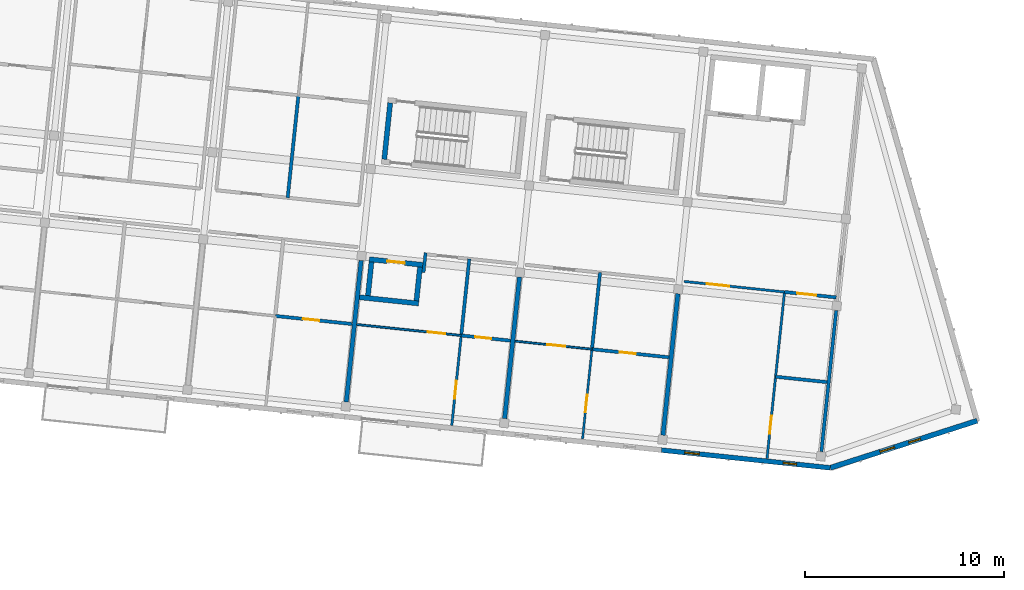
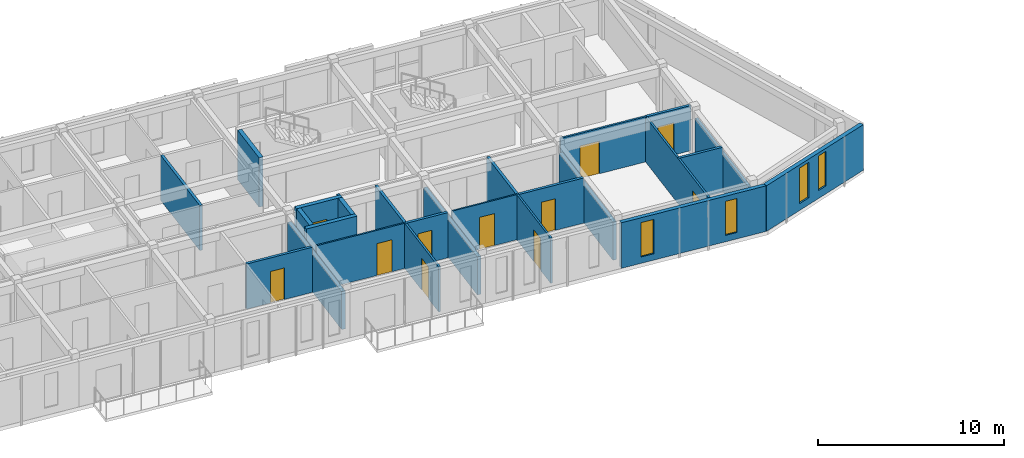
# One storey, part 35 of 64: 26 walls, 11 doors, 4 windows, 15 openings.
"""IFC4 building model written with IfcOpenShell, lengths in metres."""

from ifc_helpers import new_model, si_unit, direction, frame, frame_2d, origin, place, context, subcontext, project, spatial, rectangle, extrude, material, layer, layer_set, type_object, element, fill, save


model = new_model("IFC4")

# Units and contexts
model_context = context("Model", 3, precision=1e-05, world=origin(), true_north=direction((0.0, 1.0)))
body_context = subcontext(model_context, "Body", "Model", "MODEL_VIEW")
ifc_project = project(units=[si_unit("LENGTHUNIT", "METRE"), si_unit("AREAUNIT", "SQUARE_METRE"), si_unit("VOLUMEUNIT", "CUBIC_METRE"), si_unit("PLANEANGLEUNIT", "RADIAN"), si_unit("MASSUNIT", "GRAM", prefix="KILO")], contexts=[model_context])

# Site, building, storey
site_placement = place(None, origin())
site = spatial("IfcSite", under=ifc_project, at=site_placement, CompositionType="ELEMENT")
building_placement = place(site_placement, origin())
building = spatial("IfcBuilding", under=site, at=building_placement, Name="Kestramere Prow Commons", CompositionType="ELEMENT")
storey_placement = place(building_placement, frame((0.0, 0.0, 24.64990234375)))
storey = spatial("IfcBuildingStorey", under=building, at=storey_placement, Name="L07", CompositionType="ELEMENT", Elevation=24.64990234375)

# Wall, openings, windows
ifc_material_1 = material(Name="Weathered Zinc-Titanium Standing-Seam Cladding")
ifc_layer_1 = layer(ifc_material_1, 0.260009765625)
ifc_layer_set_1 = layer_set([ifc_layer_1], Name="Weathered Zinc-Titanium Standing-Seam Cladding")
wall_type_1 = type_object("IfcWallType", Name="EW-PROW-260", PredefinedType="SOLIDWALL", material=ifc_layer_set_1)
wall_1_placement = place(storey_placement, frame((165.587158203125, 91.57177734375, 0.0), z_axis=(0.0, 0.0, 1.0), x_axis=(-0.9522851043, -0.305209895201, 0.0)))
wall_1 = element("IfcWall", 1, at=wall_1_placement, inside=storey, type_object=wall_type_1, Name="Block B L07 PRW-S Facet Wall", PredefinedType="SOLIDWALL", context=body_context, shape_type="SweptSolid", body=[
    extrude(rectangle(XDim=7.752685546875, YDim=0.260009765625, at=frame_2d((3.87646484375, 0.0))), origin(), (0.0, 0.0, 1.0), 3.0),
])
opening_1_placement = place(wall_1_placement, frame((2.989990234375, 0.0, 0.52001953125)))
opening_1 = element("IfcOpeningElement", 2, at=opening_1_placement, cuts=wall_1, Name="Opening WN-03", PredefinedType="OPENING", context=body_context, shape_type="SweptSolid", body=[
    extrude(rectangle(XDim=0.6201171875, YDim=2.280029296875, at=frame_2d((0.31005859375, 1.14013671875))), frame((0.0, 0.14501953125, 0.0), z_axis=(0.0, -1.0, 0.0), x_axis=(1.0, 0.0, 0.0)), (0.0, 0.0, 1.0), 0.2900390625),
])
opening_2_placement = place(wall_1_placement, frame((4.36279296875, 0.0, 0.449951171875)))
opening_2 = element("IfcOpeningElement", 3, at=opening_2_placement, cuts=wall_1, Name="Opening WN-10", PredefinedType="OPENING", context=body_context, shape_type="SweptSolid", body=[
    extrude(rectangle(XDim=0.760009765625, YDim=2.340087890625, at=frame_2d((0.3798828125, 1.169921875))), frame((0.0, 0.14501953125, 0.0), z_axis=(0.0, -1.0, 0.0), x_axis=(1.0, 0.0, 0.0)), (0.0, 0.0, 1.0), 0.2900390625),
])
ifc_material_2 = material(Name="Low-E Laminated Double Glazing", Category="glass")
window_type_1 = type_object("IfcWindowType", Name="WN-NAR-620A", PartitioningType="SINGLE_PANEL", PredefinedType="WINDOW", material=ifc_material_2)
window_1_placement = place(opening_1_placement, origin())
window_1 = element("IfcWindow", 4, at=window_1_placement, inside=storey, type_object=window_type_1, Name="WN-B-L07-PRW-S-0", OverallHeight=2.280029296875, OverallWidth=0.6201171875, PartitioningType="SINGLE_PANEL", PredefinedType="WINDOW", context=body_context, shape_type="SweptSolid", body=[
    extrude(rectangle(XDim=0.6201171875, YDim=2.280029296875, at=frame_2d((0.31005859375, 1.14013671875))), frame((0.0, 0.030029296875, 0.0), z_axis=(0.0, -1.0, 0.0), x_axis=(1.0, 0.0, 0.0)), (0.0, 0.0, 1.0), 0.06005859375),
])
fill(opening_1, window_1)
window_type_2 = type_object("IfcWindowType", Name="WN-NAR-760A", PartitioningType="SINGLE_PANEL", PredefinedType="WINDOW", material=ifc_material_2)
window_2_placement = place(opening_2_placement, origin())
window_2 = element("IfcWindow", 5, at=window_2_placement, inside=storey, type_object=window_type_2, Name="WN-B-L07-PRW-S-1", OverallHeight=2.340087890625, OverallWidth=0.760009765625, PartitioningType="SINGLE_PANEL", PredefinedType="WINDOW", context=body_context, shape_type="SweptSolid", body=[
    extrude(rectangle(XDim=0.760009765625, YDim=2.340087890625, at=frame_2d((0.3798828125, 1.169921875))), frame((0.0, 0.030029296875, 0.0), z_axis=(0.0, -1.0, 0.0), x_axis=(1.0, 0.0, 0.0)), (0.0, 0.0, 1.0), 0.06005859375),
])
fill(opening_2, window_2)

ifc_material_3 = material(Name="Fluoropolymer Standing-Seam Zinc-Aluminium Cladding", Category="aluminium")
ifc_layer_2 = layer(ifc_material_3, 0.239990234375)
ifc_layer_set_2 = layer_set([ifc_layer_2], Name="Fluoropolymer Standing-Seam Zinc-Aluminium Cladding")
wall_type_2 = type_object("IfcWallType", Name="EW-SEAM-240", PredefinedType="SOLIDWALL", material=ifc_layer_set_2)
wall_2_placement = place(storey_placement, frame((158.204345703125, 89.20556640625, 0.0), z_axis=(0.0, 0.0, 1.0), x_axis=(-0.994521760736, 0.104529744196, 0.0)))
wall_2 = element("IfcWall", 6, at=wall_2_placement, inside=storey, type_object=wall_type_2, Name="Block B L07 South Standing-Seam Wall 6", PredefinedType="SOLIDWALL", context=body_context, shape_type="SweptSolid", body=[
    extrude(rectangle(XDim=8.52490234375, YDim=0.239990234375, at=frame_2d((4.262451171875, 0.0))), origin(), (0.0, 0.0, 1.0), 3.0),
])
opening_3_placement = place(wall_2_placement, frame((1.70068359375, 0.0, 0.419921875)))
opening_3 = element("IfcOpeningElement", 7, at=opening_3_placement, cuts=wall_2, Name="Opening WN-06", PredefinedType="OPENING", context=body_context, shape_type="SweptSolid", body=[
    extrude(rectangle(XDim=0.679931640625, YDim=2.239990234375, at=frame_2d((0.33984375, 1.1201171875))), frame((0.0, 0.135009765625, 0.0), z_axis=(0.0, -1.0, 0.0), x_axis=(1.0, 0.0, 0.0)), (0.0, 0.0, 1.0), 0.27001953125),
])
opening_4_placement = place(wall_2_placement, frame((6.6123046875, 0.0, 0.419921875)))
opening_4 = element("IfcOpeningElement", 8, at=opening_4_placement, cuts=wall_2, Name="Opening WN-09", PredefinedType="OPENING", context=body_context, shape_type="SweptSolid", body=[
    extrude(rectangle(XDim=0.739990234375, YDim=2.260009765625, at=frame_2d((0.3701171875, 1.1298828125))), frame((0.0, 0.135009765625, 0.0), z_axis=(0.0, -1.0, 0.0), x_axis=(1.0, 0.0, 0.0)), (0.0, 0.0, 1.0), 0.27001953125),
])
window_type_3 = type_object("IfcWindowType", Name="WN-NAR-680A", PartitioningType="SINGLE_PANEL", PredefinedType="WINDOW", material=ifc_material_2)
window_3_placement = place(opening_3_placement, origin())
window_3 = element("IfcWindow", 9, at=window_3_placement, inside=storey, type_object=window_type_3, Name="WN-B-L07-S-5-00", OverallHeight=2.239990234375, OverallWidth=0.679931640625, PartitioningType="SINGLE_PANEL", PredefinedType="WINDOW", context=body_context, shape_type="SweptSolid", body=[
    extrude(rectangle(XDim=0.679931640625, YDim=2.239990234375, at=frame_2d((0.33984375, 1.1201171875))), frame((0.0, 0.030029296875, 0.0), z_axis=(0.0, -1.0, 0.0), x_axis=(1.0, 0.0, 0.0)), (0.0, 0.0, 1.0), 0.06005859375),
])
fill(opening_3, window_3)
window_type_4 = type_object("IfcWindowType", Name="WN-NAR-740A", PartitioningType="SINGLE_PANEL", PredefinedType="WINDOW", material=ifc_material_2)
window_4_placement = place(opening_4_placement, origin())
window_4 = element("IfcWindow", 10, at=window_4_placement, inside=storey, type_object=window_type_4, Name="WN-B-L07-S-5-10", OverallHeight=2.260009765625, OverallWidth=0.739990234375, PartitioningType="SINGLE_PANEL", PredefinedType="WINDOW", context=body_context, shape_type="SweptSolid", body=[
    extrude(rectangle(XDim=0.739990234375, YDim=2.260009765625, at=frame_2d((0.3701171875, 1.1298828125))), frame((0.0, 0.030029296875, 0.0), z_axis=(0.0, -1.0, 0.0), x_axis=(1.0, 0.0, 0.0)), (0.0, 0.0, 1.0), 0.06005859375),
])
fill(opening_4, window_4)

# Walls
ifc_material_4 = material(Name="Concrete C40/50", Category="concrete")
ifc_layer_3 = layer(ifc_material_4, 0.25)
ifc_layer_set_3 = layer_set([ifc_layer_3], Name="Concrete C40/50")
wall_type_3 = type_object("IfcWallType", Name="W-CORE-250", PredefinedType="SHEAR", material=ifc_layer_set_3)
wall_3_placement = place(storey_placement, frame((135.802001953125, 104.707275390625, 0.0), z_axis=(0.0, 0.0, 1.0), x_axis=(0.104515324063, 0.994523276267, 0.0)))
element("IfcWall", 11, at=wall_3_placement, inside=storey, type_object=wall_type_3, Name="ST-B1 L07 Near Shaft Wall", PredefinedType="SHEAR", context=body_context, shape_type="SweptSolid", body=[
    extrude(rectangle(XDim=2.849853515625, YDim=0.25, at=frame_2d((1.4248046875, 0.0))), origin(), (0.0, 0.0, 1.0), 3.25),
])
ifc_material_5 = material(Name="Fire-Rated Calcium Silicate Wall")
ifc_layer_4 = layer(ifc_material_5, 0.155029296875)
ifc_layer_set_4 = layer_set([ifc_layer_4], Name="Fire-Rated Calcium Silicate Wall")
wall_type_4 = type_object("IfcWallType", Name="W-FIRE-150", PredefinedType="PARTITIONING", material=ifc_layer_set_4)
wall_4_placement = place(storey_placement, frame((137.773193359375, 99.02001953125, 0.0), z_axis=(0.0, 0.0, 1.0), x_axis=(0.104531505358, 0.994521575627, 0.0)))
element("IfcWall", 12, at=wall_4_placement, inside=storey, type_object=wall_type_4, Name="Interior Partition PW-B-L07-HS-CLOSER", PredefinedType="PARTITIONING", context=body_context, shape_type="SweptSolid", body=[
    extrude(rectangle(XDim=0.994873046875, YDim=0.155029296875, at=frame_2d((0.49755859375, 0.0))), origin(), (0.0, 0.0, 1.0), 2.97021484375),
])
ifc_layer_5 = layer(ifc_material_4, 0.25)
ifc_layer_set_5 = layer_set([ifc_layer_5], Name="Concrete C40/50")
wall_type_5 = type_object("IfcWallType", Name="W-HS-250", PredefinedType="SHEAR", material=ifc_layer_set_5)
wall_5_placement = place(storey_placement, frame((134.555419921875, 97.774658203125, 0.0), z_axis=(0.0, 0.0, 1.0), x_axis=(0.994514844427, -0.104595526741, 0.0)))
element("IfcWall", 13, at=wall_5_placement, inside=storey, type_object=wall_type_5, Name="Block B L07 Household Shelter South Wall", PredefinedType="SHEAR", context=body_context, shape_type="SweptSolid", body=[
    extrude(rectangle(XDim=2.989990234375, YDim=0.25, at=frame_2d((1.4951171875, 0.0))), origin(), (0.0, 0.0, 1.0), 3.25),
])

# Wall, opening, door
wall_6_placement = place(storey_placement, frame((135.047607421875, 99.68359375, 0.0), z_axis=(0.0, 0.0, 1.0), x_axis=(0.994522285292, -0.104524753323, 0.0)))
wall_6 = element("IfcWall", 14, at=wall_6_placement, inside=storey, type_object=wall_type_5, Name="Block B L07 Household Shelter North Wall", PredefinedType="SHEAR", context=body_context, shape_type="SweptSolid", body=[
    extrude(rectangle(XDim=2.7001953125, YDim=0.25, at=frame_2d((1.35009765625, 0.0))), origin(), (0.0, 0.0, 1.0), 3.25),
])
opening_5_placement = place(wall_6_placement, frame((0.89990234375, 0.0, 0.0)))
opening_5 = element("IfcOpeningElement", 15, at=opening_5_placement, cuts=wall_6, Name="Opening ID-06", PredefinedType="OPENING", context=body_context, shape_type="SweptSolid", body=[
    extrude(rectangle(XDim=0.89990234375, YDim=2.050048828125, at=frame_2d((0.449951171875, 1.02490234375))), frame((0.0, 0.139892578125, 0.0), z_axis=(0.0, -1.0, 0.0), x_axis=(1.0, 0.0, 0.0)), (0.0, 0.0, 1.0), 0.280029296875),
])
ifc_material_6 = material(Name="Galvanised Steel S275JR Household Shelter Door", Category="steel")
door_type_1 = type_object("IfcDoorType", Name="FD-HS-01", OperationType="NOTDEFINED", PredefinedType="DOOR", material=ifc_material_6)
door_1_placement = place(opening_5_placement, origin())
door_1 = element("IfcDoor", 16, at=door_1_placement, inside=storey, type_object=door_type_1, Name="Block B L07 Household Shelter Blast Door", OperationType="SINGLE_SWING_LEFT", OverallHeight=2.050048828125, OverallWidth=0.89990234375, PredefinedType="DOOR", context=body_context, shape_type="SweptSolid", body=[
    extrude(rectangle(XDim=0.89990234375, YDim=2.050048828125, at=frame_2d((0.449951171875, 1.02490234375))), frame((0.0, 0.02490234375, 0.0), z_axis=(0.0, -1.0, 0.0), x_axis=(1.0, 0.0, 0.0)), (0.0, 0.0, 1.0), 0.050048828125),
])
fill(opening_5, door_1)

# Walls
for number, where, z_axis, x_axis, name in (
    (17, (134.981201171875, 97.85546875, 0.0), (0.0, 0.0, 1.0), (0.104550220202, 0.994519608382, 0.0), "Block B L07 Household Shelter W Wall"),
    (18, (137.417724609375, 97.599365234375, 0.0), (0.0, 0.0, 1.0), (0.104550220202, 0.994519608382, 0.0), "Block B L07 Household Shelter E Wall"),
):
    element("IfcWall", number, at=place(storey_placement, frame(where, z_axis=z_axis, x_axis=x_axis)), inside=storey, type_object=wall_type_5, Name=name, PredefinedType="SHEAR", context=body_context, shape_type="SweptSolid", body=[
        extrude(rectangle(XDim=1.699951171875, YDim=0.25, at=frame_2d((0.85009765625, 0.0))), origin(), (0.0, 0.0, 1.0), 3.25),
    ])

# Wall, opening, door
ifc_material_7 = material(Name="Gypsum Acoustic Drywall")
ifc_layer_6 = layer(ifc_material_7, 0.10009765625)
ifc_layer_set_6 = layer_set([ifc_layer_6], Name="Gypsum Acoustic Drywall")
wall_type_6 = type_object("IfcWallType", Name="W-PART-100", PredefinedType="PARTITIONING", material=ifc_layer_set_6)
wall_7_placement = place(storey_placement, frame((134.416748046875, 96.406494140625, 0.0), z_axis=(0.0, 0.0, 1.0), x_axis=(0.994524692105, -0.104501850668, 0.0)))
wall_7 = element("IfcWall", 19, at=wall_7_placement, inside=storey, type_object=wall_type_6, Name="Interior Partition PW-B-L07-MIDS1-3", PredefinedType="PARTITIONING", context=body_context, shape_type="SweptSolid", body=[
    extrude(rectangle(XDim=5.27978515625, YDim=0.10009765625, at=frame_2d((2.639892578125, 0.0))), origin(), (0.0, 0.0, 1.0), 2.97021484375),
])
opening_6_placement = place(wall_7_placement, frame((3.594970703125, 0.0, 0.0)))
opening_6 = element("IfcOpeningElement", 20, at=opening_6_placement, cuts=wall_7, Name="Opening ID-10", PredefinedType="OPENING", context=body_context, shape_type="SweptSolid", body=[
    extrude(rectangle(XDim=0.8798828125, YDim=2.10009765625, at=frame_2d((0.43994140625, 1.050048828125))), frame((0.0, 0.06494140625, 0.0), z_axis=(0.0, -1.0, 0.0), x_axis=(1.0, 0.0, 0.0)), (0.0, 0.0, 1.0), 0.130126953125),
])
ifc_material_8 = material(Name="Engineered Timber Bedroom Door", Category="wood")
door_type_2 = type_object("IfcDoorType", Name="D-RM-03", OperationType="NOTDEFINED", PredefinedType="DOOR", material=ifc_material_8)
door_2_placement = place(opening_6_placement, origin())
door_2 = element("IfcDoor", 21, at=door_2_placement, inside=storey, type_object=door_type_2, Name="Interior Door DR-B-L07-KL-S3", OperationType="SINGLE_SWING_RIGHT", OverallHeight=2.10009765625, OverallWidth=0.8798828125, PredefinedType="DOOR", context=body_context, shape_type="SweptSolid", body=[
    extrude(rectangle(XDim=0.8798828125, YDim=2.10009765625, at=frame_2d((0.43994140625, 1.050048828125))), frame((0.0, 0.02490234375, 0.0), z_axis=(0.0, -1.0, 0.0), x_axis=(1.0, 0.0, 0.0)), (0.0, 0.0, 1.0), 0.050048828125),
])
fill(opening_6, door_2)

ifc_layer_7 = layer(ifc_material_7, 0.110107421875)
ifc_layer_set_7 = layer_set([ifc_layer_7], Name="Gypsum Acoustic Drywall")
wall_type_7 = type_object("IfcWallType", Name="W-PART-110", PredefinedType="PARTITIONING", material=ifc_layer_set_7)
wall_8_placement = place(storey_placement, frame((145.761962890625, 90.649169921875, 0.0), z_axis=(0.0, 0.0, 1.0), x_axis=(0.104539221709, 0.994520764552, 0.0)))
wall_8 = element("IfcWall", 22, at=wall_8_placement, inside=storey, type_object=wall_type_7, Name="Interior Partition PW-B-L07-LB-S4", PredefinedType="PARTITIONING", context=body_context, shape_type="SweptSolid", body=[
    extrude(rectangle(XDim=4.5400390625, YDim=0.110107421875, at=frame_2d((2.27001953125, 0.0))), origin(), (0.0, 0.0, 1.0), 2.97021484375),
])
opening_7_placement = place(wall_8_placement, frame((1.35009765625, 0.0, 0.0)))
opening_7 = element("IfcOpeningElement", 23, at=opening_7_placement, cuts=wall_8, Name="Opening ID-08", PredefinedType="OPENING", context=body_context, shape_type="SweptSolid", body=[
    extrude(rectangle(XDim=0.89990234375, YDim=2.10009765625, at=frame_2d((0.449951171875, 1.050048828125))), frame((0.0, 0.070068359375, 0.0), z_axis=(0.0, -1.0, 0.0), x_axis=(1.0, 0.0, 0.0)), (0.0, 0.0, 1.0), 0.14013671875),
])
ifc_material_9 = material(Name="Engineered Timber Flush Door", Category="wood")
door_type_3 = type_object("IfcDoorType", Name="D-RM-01", OperationType="NOTDEFINED", PredefinedType="DOOR", material=ifc_material_9)
door_3_placement = place(opening_7_placement, origin())
door_3 = element("IfcDoor", 24, at=door_3_placement, inside=storey, type_object=door_type_3, Name="Interior Door DR-B-L07-BED-S4", OperationType="SINGLE_SWING_LEFT", OverallHeight=2.10009765625, OverallWidth=0.89990234375, PredefinedType="DOOR", context=body_context, shape_type="SweptSolid", body=[
    extrude(rectangle(XDim=0.89990234375, YDim=2.10009765625, at=frame_2d((0.449951171875, 1.050048828125))), frame((0.0, 0.02490234375, 0.0), z_axis=(0.0, -1.0, 0.0), x_axis=(1.0, 0.0, 0.0)), (0.0, 0.0, 1.0), 0.050048828125),
])
fill(opening_7, door_3)

ifc_material_10 = material(Name="Lightweight Blockwork and Plaster", Category="masonry")
ifc_layer_8 = layer(ifc_material_10, 0.1201171875)
ifc_layer_set_8 = layer_set([ifc_layer_8], Name="Lightweight Blockwork and Plaster")
wall_type_8 = type_object("IfcWallType", Name="W-PART-120", PredefinedType="PARTITIONING", material=ifc_layer_set_8)
wall_9_placement = place(storey_placement, frame((139.193115234375, 91.339599609375, 0.0), z_axis=(0.0, 0.0, 1.0), x_axis=(0.104539221709, 0.994520764552, 0.0)))
wall_9 = element("IfcWall", 25, at=wall_9_placement, inside=storey, type_object=wall_type_8, Name="Interior Partition PW-B-L07-LB-S3", PredefinedType="PARTITIONING", context=body_context, shape_type="SweptSolid", body=[
    extrude(rectangle(XDim=4.5400390625, YDim=0.1201171875, at=frame_2d((2.27001953125, 0.0))), origin(), (0.0, 0.0, 1.0), 2.97021484375),
])
opening_8_placement = place(wall_9_placement, frame((1.35009765625, 0.0, 0.0)))
opening_8 = element("IfcOpeningElement", 26, at=opening_8_placement, cuts=wall_9, Name="Opening ID-08", PredefinedType="OPENING", context=body_context, shape_type="SweptSolid", body=[
    extrude(rectangle(XDim=0.89990234375, YDim=2.10009765625, at=frame_2d((0.449951171875, 1.050048828125))), frame((0.0, 0.074951171875, 0.0), z_axis=(0.0, -1.0, 0.0), x_axis=(1.0, 0.0, 0.0)), (0.0, 0.0, 1.0), 0.150146484375),
])
door_4_placement = place(opening_8_placement, origin())
door_4 = element("IfcDoor", 27, at=door_4_placement, inside=storey, type_object=door_type_3, Name="Interior Door DR-B-L07-BED-S3", OperationType="SINGLE_SWING_RIGHT", OverallHeight=2.10009765625, OverallWidth=0.89990234375, PredefinedType="DOOR", context=body_context, shape_type="SweptSolid", body=[
    extrude(rectangle(XDim=0.89990234375, YDim=2.10009765625, at=frame_2d((0.449951171875, 1.050048828125))), frame((0.0, 0.02490234375, 0.0), z_axis=(0.0, -1.0, 0.0), x_axis=(1.0, 0.0, 0.0)), (0.0, 0.0, 1.0), 0.050048828125),
])
fill(opening_8, door_4)

wall_10_placement = place(storey_placement, frame((150.85302734375, 98.5703125, 0.0), z_axis=(0.0, 0.0, 1.0), x_axis=(0.994522539851, -0.104522331238, 0.0)))
wall_10 = element("IfcWall", 28, at=wall_10_placement, inside=storey, type_object=wall_type_8, Name="Interior Partition PW-B-L07-CS-5A", PredefinedType="PARTITIONING", context=body_context, shape_type="SweptSolid", body=[
    extrude(rectangle(XDim=5.0849609375, YDim=0.1201171875, at=frame_2d((2.54248046875, 0.0))), origin(), (0.0, 0.0, 1.0), 2.97021484375),
])
opening_9_placement = place(wall_10_placement, frame((1.14990234375, 0.0, 0.0)))
opening_9 = element("IfcOpeningElement", 29, at=opening_9_placement, cuts=wall_10, Name="Opening ID-09", PredefinedType="OPENING", context=body_context, shape_type="SweptSolid", body=[
    extrude(rectangle(XDim=1.14990234375, YDim=2.14990234375, at=frame_2d((0.574951171875, 1.074951171875))), frame((0.0, 0.074951171875, 0.0), z_axis=(0.0, -1.0, 0.0), x_axis=(1.0, 0.0, 0.0)), (0.0, 0.0, 1.0), 0.150146484375),
])
ifc_material_11 = material(Name="Engineered Timber Acoustic Door", Category="wood")
door_type_4 = type_object("IfcDoorType", Name="D-RM-02", OperationType="NOTDEFINED", PredefinedType="DOOR", material=ifc_material_11)
door_5_placement = place(opening_9_placement, origin())
door_5 = element("IfcDoor", 30, at=door_5_placement, inside=storey, type_object=door_type_4, Name="Interior Door DR-B-L07-SKY-5", OperationType="SINGLE_SWING_LEFT", OverallHeight=2.14990234375, OverallWidth=1.14990234375, PredefinedType="DOOR", context=body_context, shape_type="SweptSolid", body=[
    extrude(rectangle(XDim=1.14990234375, YDim=2.14990234375, at=frame_2d((0.574951171875, 1.074951171875))), frame((0.0, 0.02490234375, 0.0), z_axis=(0.0, -1.0, 0.0), x_axis=(1.0, 0.0, 0.0)), (0.0, 0.0, 1.0), 0.050048828125),
])
fill(opening_9, door_5)

wall_11_placement = place(storey_placement, frame((155.031005859375, 89.6748046875, 0.0), z_axis=(0.0, 0.0, 1.0), x_axis=(0.10453518206, 0.994521189172, 0.0)))
wall_11 = element("IfcWall", 31, at=wall_11_placement, inside=storey, type_object=wall_type_8, Name="Interior Partition PW-B-L07-SKDV-5", PredefinedType="PARTITIONING", context=body_context, shape_type="SweptSolid", body=[
    extrude(rectangle(XDim=8.41015625, YDim=0.1201171875, at=frame_2d((4.205078125, 0.0))), origin(), (0.0, 0.0, 1.0), 2.97021484375),
])
opening_10_placement = place(wall_11_placement, frame((1.25, 0.0, 0.0)))
opening_10 = element("IfcOpeningElement", 32, at=opening_10_placement, cuts=wall_11, Name="Opening ID-08", PredefinedType="OPENING", context=body_context, shape_type="SweptSolid", body=[
    extrude(rectangle(XDim=0.89990234375, YDim=2.10009765625, at=frame_2d((0.449951171875, 1.050048828125))), frame((0.0, 0.074951171875, 0.0), z_axis=(0.0, -1.0, 0.0), x_axis=(1.0, 0.0, 0.0)), (0.0, 0.0, 1.0), 0.150146484375),
])
door_6_placement = place(opening_10_placement, origin())
door_6 = element("IfcDoor", 33, at=door_6_placement, inside=storey, type_object=door_type_3, Name="Interior Door DR-B-L07-SKAL-5", OperationType="SINGLE_SWING_LEFT", OverallHeight=2.10009765625, OverallWidth=0.89990234375, PredefinedType="DOOR", context=body_context, shape_type="SweptSolid", body=[
    extrude(rectangle(XDim=0.89990234375, YDim=2.10009765625, at=frame_2d((0.449951171875, 1.050048828125))), frame((0.0, 0.02490234375, 0.0), z_axis=(0.0, -1.0, 0.0), x_axis=(1.0, 0.0, 0.0)), (0.0, 0.0, 1.0), 0.050048828125),
])
fill(opening_10, door_6)

ifc_layer_9 = layer(ifc_material_7, 0.094970703125)
ifc_layer_set_9 = layer_set([ifc_layer_9], Name="Gypsum Acoustic Drywall")
wall_type_9 = type_object("IfcWallType", Name="W-PART-95", PredefinedType="PARTITIONING", material=ifc_layer_set_9)
wall_12_placement = place(storey_placement, frame((142.372802734375, 95.5703125, 0.0), z_axis=(0.0, 0.0, 1.0), x_axis=(0.994524375082, -0.104504867671, 0.0)))
wall_12 = element("IfcWall", 34, at=wall_12_placement, inside=storey, type_object=wall_type_9, Name="Interior Partition PW-B-L07-MIDS1-4", PredefinedType="PARTITIONING", context=body_context, shape_type="SweptSolid", body=[
    extrude(rectangle(XDim=3.885009765625, YDim=0.094970703125, at=frame_2d((1.9423828125, 0.0))), origin(), (0.0, 0.0, 1.0), 2.97021484375),
])
opening_11_placement = place(wall_12_placement, frame((1.625, 0.0, 0.0)))
opening_11 = element("IfcOpeningElement", 35, at=opening_11_placement, cuts=wall_12, Name="Opening ID-08", PredefinedType="OPENING", context=body_context, shape_type="SweptSolid", body=[
    extrude(rectangle(XDim=0.89990234375, YDim=2.10009765625, at=frame_2d((0.449951171875, 1.050048828125))), frame((0.0, 0.0625, 0.0), z_axis=(0.0, -1.0, 0.0), x_axis=(1.0, 0.0, 0.0)), (0.0, 0.0, 1.0), 0.125),
])
door_7_placement = place(opening_11_placement, origin())
door_7 = element("IfcDoor", 36, at=door_7_placement, inside=storey, type_object=door_type_3, Name="Interior Door DR-B-L07-KL-S4", OperationType="SINGLE_SWING_RIGHT", OverallHeight=2.10009765625, OverallWidth=0.89990234375, PredefinedType="DOOR", context=body_context, shape_type="SweptSolid", body=[
    extrude(rectangle(XDim=0.89990234375, YDim=2.10009765625, at=frame_2d((0.449951171875, 1.050048828125))), frame((0.0, 0.02490234375, 0.0), z_axis=(0.0, -1.0, 0.0), x_axis=(1.0, 0.0, 0.0)), (0.0, 0.0, 1.0), 0.050048828125),
])
fill(opening_11, door_7)

# Wall
ifc_material_12 = material(Name="Waterproof Sanitary Masonry Wall", Category="masonry")
ifc_layer_10 = layer(ifc_material_12, 0.1650390625)
ifc_layer_set_10 = layer_set([ifc_layer_10], Name="Waterproof Sanitary Masonry Wall")
wall_type_10 = type_object("IfcWallType", Name="W-PLUMB-150", PredefinedType="PLUMBINGWALL", material=ifc_layer_set_10)
wall_13_placement = place(storey_placement, frame((157.76171875, 90.016357421875, 0.0), z_axis=(0.0, 0.0, 1.0), x_axis=(0.10450653689, 0.994524199679, 0.0)))
element("IfcWall", 37, at=wall_13_placement, inside=storey, type_object=wall_type_10, Name="Interior Partition PW-B-L07-PRWE-S", PredefinedType="PLUMBINGWALL", context=body_context, shape_type="SweptSolid", body=[
    extrude(rectangle(XDim=7.1298828125, YDim=0.1650390625, at=frame_2d((3.56494140625, 0.0))), origin(), (0.0, 0.0, 1.0), 2.5),
])

# Wall, opening, door
wall_14_placement = place(storey_placement, frame((130.32421875, 96.836669921875, 0.0), z_axis=(0.0, 0.0, 1.0), x_axis=(0.994524375082, -0.104504867671, 0.0)))
wall_14 = element("IfcWall", 38, at=wall_14_placement, inside=storey, type_object=wall_type_10, Name="Interior Partition PW-B-L07-MIDS2-2", PredefinedType="PLUMBINGWALL", context=body_context, shape_type="SweptSolid", body=[
    extrude(rectangle(XDim=3.885009765625, YDim=0.1650390625, at=frame_2d((1.9423828125, 0.0))), origin(), (0.0, 0.0, 1.0), 2.97021484375),
])
opening_12_placement = place(wall_14_placement, frame((1.39990234375, 0.0, 0.0)))
opening_12 = element("IfcOpeningElement", 39, at=opening_12_placement, cuts=wall_14, Name="Opening ID-11", PredefinedType="OPENING", context=body_context, shape_type="SweptSolid", body=[
    extrude(rectangle(XDim=0.820068359375, YDim=2.080078125, at=frame_2d((0.41015625, 1.0400390625))), frame((0.0, 0.097412109375, 0.0), z_axis=(0.0, -1.0, 0.0), x_axis=(1.0, 0.0, 0.0)), (0.0, 0.0, 1.0), 0.195068359375),
])
ifc_material_13 = material(Name="Moisture-Resistant Timber Bathroom Door", Category="wood")
door_type_5 = type_object("IfcDoorType", Name="D-BT-01", OperationType="NOTDEFINED", PredefinedType="DOOR", material=ifc_material_13)
door_8_placement = place(opening_12_placement, origin())
door_8 = element("IfcDoor", 40, at=door_8_placement, inside=storey, type_object=door_type_5, Name="Interior Door DR-B-L07-BTH-S2", OperationType="SINGLE_SWING_LEFT", OverallHeight=2.080078125, OverallWidth=0.820068359375, PredefinedType="DOOR", context=body_context, shape_type="SweptSolid", body=[
    extrude(rectangle(XDim=0.820068359375, YDim=2.080078125, at=frame_2d((0.41015625, 1.0400390625))), frame((0.0, 0.02490234375, 0.0), z_axis=(0.0, -1.0, 0.0), x_axis=(1.0, 0.0, 0.0)), (0.0, 0.0, 1.0), 0.050048828125),
])
fill(opening_12, door_8)

wall_15_placement = place(storey_placement, frame((139.667724609375, 95.854736328125, 0.0), z_axis=(0.0, 0.0, 1.0), x_axis=(0.994522631864, -0.10452145574, 0.0)))
wall_15 = element("IfcWall", 41, at=wall_15_placement, inside=storey, type_object=wall_type_10, Name="Interior Partition PW-B-L07-MIDS2-3", PredefinedType="PLUMBINGWALL", context=body_context, shape_type="SweptSolid", body=[
    extrude(rectangle(XDim=2.489990234375, YDim=0.1650390625, at=frame_2d((1.2451171875, 0.0))), origin(), (0.0, 0.0, 1.0), 2.97021484375),
])
opening_13_placement = place(wall_15_placement, frame((0.702880859375, 0.0, 0.0)))
opening_13 = element("IfcOpeningElement", 42, at=opening_13_placement, cuts=wall_15, Name="Opening ID-11", PredefinedType="OPENING", context=body_context, shape_type="SweptSolid", body=[
    extrude(rectangle(XDim=0.820068359375, YDim=2.080078125, at=frame_2d((0.41015625, 1.0400390625))), frame((0.0, 0.097412109375, 0.0), z_axis=(0.0, -1.0, 0.0), x_axis=(1.0, 0.0, 0.0)), (0.0, 0.0, 1.0), 0.195068359375),
])
door_9_placement = place(opening_13_placement, origin())
door_9 = element("IfcDoor", 43, at=door_9_placement, inside=storey, type_object=door_type_5, Name="Interior Door DR-B-L07-BTH-S3", OperationType="SINGLE_SWING_LEFT", OverallHeight=2.080078125, OverallWidth=0.820068359375, PredefinedType="DOOR", context=body_context, shape_type="SweptSolid", body=[
    extrude(rectangle(XDim=0.820068359375, YDim=2.080078125, at=frame_2d((0.41015625, 1.0400390625))), frame((0.0, 0.02490234375, 0.0), z_axis=(0.0, -1.0, 0.0), x_axis=(1.0, 0.0, 0.0)), (0.0, 0.0, 1.0), 0.050048828125),
])
fill(opening_13, door_9)

# Wall
wall_16_placement = place(storey_placement, frame((139.667724609375, 95.854736328125, 0.0), z_axis=(0.0, 0.0, 1.0), x_axis=(0.10453700162, 0.994520997914, 0.0)))
element("IfcWall", 44, at=wall_16_placement, inside=storey, type_object=wall_type_10, Name="Interior Partition PW-B-L07-KB-S3", PredefinedType="PLUMBINGWALL", context=body_context, shape_type="SweptSolid", body=[
    extrude(rectangle(XDim=3.869873046875, YDim=0.1650390625, at=frame_2d((1.93505859375, 0.0))), origin(), (0.0, 0.0, 1.0), 2.97021484375),
])

# Wall, opening, door
wall_17_placement = place(storey_placement, frame((146.236572265625, 95.164306640625, 0.0), z_axis=(0.0, 0.0, 1.0), x_axis=(0.994517841934, -0.104567021925, 0.0)))
wall_17 = element("IfcWall", 45, at=wall_17_placement, inside=storey, type_object=wall_type_10, Name="Interior Partition PW-B-L07-MIDS2-4", PredefinedType="PLUMBINGWALL", context=body_context, shape_type="SweptSolid", body=[
    extrude(rectangle(XDim=3.885009765625, YDim=0.1650390625, at=frame_2d((1.9423828125, 0.0))), origin(), (0.0, 0.0, 1.0), 2.97021484375),
])
opening_14_placement = place(wall_17_placement, frame((1.39990234375, 0.0, 0.0)))
opening_14 = element("IfcOpeningElement", 46, at=opening_14_placement, cuts=wall_17, Name="Opening ID-11", PredefinedType="OPENING", context=body_context, shape_type="SweptSolid", body=[
    extrude(rectangle(XDim=0.820068359375, YDim=2.080078125, at=frame_2d((0.41015625, 1.0400390625))), frame((0.0, 0.097412109375, 0.0), z_axis=(0.0, -1.0, 0.0), x_axis=(1.0, 0.0, 0.0)), (0.0, 0.0, 1.0), 0.195068359375),
])
door_10_placement = place(opening_14_placement, origin())
door_10 = element("IfcDoor", 47, at=door_10_placement, inside=storey, type_object=door_type_5, Name="Interior Door DR-B-L07-BTH-S4", OperationType="SINGLE_SWING_LEFT", OverallHeight=2.080078125, OverallWidth=0.820068359375, PredefinedType="DOOR", context=body_context, shape_type="SweptSolid", body=[
    extrude(rectangle(XDim=0.820068359375, YDim=2.080078125, at=frame_2d((0.41015625, 1.0400390625))), frame((0.0, 0.02490234375, 0.0), z_axis=(0.0, -1.0, 0.0), x_axis=(1.0, 0.0, 0.0)), (0.0, 0.0, 1.0), 0.050048828125),
])
fill(opening_14, door_10)

# Wall
wall_18_placement = place(storey_placement, frame((146.236572265625, 95.164306640625, 0.0), z_axis=(0.0, 0.0, 1.0), x_axis=(0.10453700162, 0.994520997914, 0.0)))
element("IfcWall", 48, at=wall_18_placement, inside=storey, type_object=wall_type_10, Name="Interior Partition PW-B-L07-KB-S4", PredefinedType="PLUMBINGWALL", context=body_context, shape_type="SweptSolid", body=[
    extrude(rectangle(XDim=3.869873046875, YDim=0.1650390625, at=frame_2d((1.93505859375, 0.0))), origin(), (0.0, 0.0, 1.0), 2.97021484375),
])

# Wall, opening, door
wall_19_placement = place(storey_placement, frame((155.91015625, 98.038818359375, 0.0), z_axis=(0.0, 0.0, 1.0), x_axis=(0.994526447543, -0.104485143144, 0.0)))
wall_19 = element("IfcWall", 49, at=wall_19_placement, inside=storey, type_object=wall_type_10, Name="Interior Partition PW-B-L07-CS-5B", PredefinedType="PLUMBINGWALL", context=body_context, shape_type="SweptSolid", body=[
    extrude(rectangle(XDim=2.610107421875, YDim=0.1650390625, at=frame_2d((1.30517578125, 0.0))), origin(), (0.0, 0.0, 1.0), 2.97021484375),
])
opening_15_placement = place(wall_19_placement, frame((0.64990234375, 0.0, 0.0)))
opening_15 = element("IfcOpeningElement", 50, at=opening_15_placement, cuts=wall_19, Name="Opening ID-13", PredefinedType="OPENING", context=body_context, shape_type="SweptSolid", body=[
    extrude(rectangle(XDim=0.9599609375, YDim=2.1201171875, at=frame_2d((0.47998046875, 1.06005859375))), frame((0.0, 0.097412109375, 0.0), z_axis=(0.0, -1.0, 0.0), x_axis=(1.0, 0.0, 0.0)), (0.0, 0.0, 1.0), 0.195068359375),
])
ifc_material_14 = material(Name="Accessible Wide-Leaf Timber Door", Category="wood")
door_type_6 = type_object("IfcDoorType", Name="D-ACC-01", OperationType="NOTDEFINED", PredefinedType="DOOR", material=ifc_material_14)
door_11_placement = place(opening_15_placement, origin())
door_11 = element("IfcDoor", 51, at=door_11_placement, inside=storey, type_object=door_type_6, Name="Interior Door DR-B-L07-SKWC-5", OperationType="SINGLE_SWING_RIGHT", OverallHeight=2.1201171875, OverallWidth=0.9599609375, PredefinedType="DOOR", context=body_context, shape_type="SweptSolid", body=[
    extrude(rectangle(XDim=0.9599609375, YDim=2.1201171875, at=frame_2d((0.47998046875, 1.06005859375))), frame((0.0, 0.02490234375, 0.0), z_axis=(0.0, -1.0, 0.0), x_axis=(1.0, 0.0, 0.0)), (0.0, 0.0, 1.0), 0.050048828125),
])
fill(opening_15, door_11)

# Walls
wall_20_placement = place(storey_placement, frame((155.462646484375, 93.7822265625, 0.0), z_axis=(0.0, 0.0, 1.0), x_axis=(0.994521452323, -0.104532678478, 0.0)))
element("IfcWall", 52, at=wall_20_placement, inside=storey, type_object=wall_type_10, Name="Interior Partition PW-B-L07-SKHZ-5", PredefinedType="PLUMBINGWALL", context=body_context, shape_type="SweptSolid", body=[
    extrude(rectangle(XDim=2.590087890625, YDim=0.1650390625, at=frame_2d((1.294921875, 0.0))), origin(), (0.0, 0.0, 1.0), 2.97021484375),
])
wall_21_placement = place(storey_placement, frame((130.9482421875, 102.77392578125, 0.0), z_axis=(0.0, 0.0, 1.0), x_axis=(0.104537578263, 0.994520937301, 0.0)))
element("IfcWall", 53, at=wall_21_placement, inside=storey, type_object=wall_type_10, Name="Interior Partition PW-B-L07-KB-N2", PredefinedType="PLUMBINGWALL", context=body_context, shape_type="SweptSolid", body=[
    extrude(rectangle(XDim=5.179931640625, YDim=0.1650390625, at=frame_2d((2.58984375, 0.0))), origin(), (0.0, 0.0, 1.0), 2.97021484375),
])
ifc_material_15 = material(Name="Precast concrete C40/50", Category="concrete")
ifc_layer_11 = layer(ifc_material_15, 0.219970703125)
ifc_layer_set_11 = layer_set([ifc_layer_11], Name="Precast concrete C40/50")
wall_type_11 = type_object("IfcWallType", Name="W-XWALL-220", PredefinedType="SHEAR", material=ifc_layer_set_11)
wall_22_placement = place(storey_placement, frame((133.89208984375, 92.51513671875, 0.0), z_axis=(0.0, 0.0, 1.0), x_axis=(0.104519481265, 0.994522839374, 0.0)))
element("IfcWall", 54, at=wall_22_placement, inside=storey, type_object=wall_type_11, Name="Block B L07 Precast Cross-Wall 3", PredefinedType="SHEAR", context=body_context, shape_type="SweptSolid", body=[
    extrude(rectangle(XDim=7.14990234375, YDim=0.219970703125, at=frame_2d((3.574951171875, 0.0))), origin(), (0.0, 0.0, 1.0), 2.5),
])
wall_23_placement = place(storey_placement, frame((141.84814453125, 91.678955078125, 0.0), z_axis=(0.0, 0.0, 1.0), x_axis=(0.104553253602, 0.994519289487, 0.0)))
element("IfcWall", 55, at=wall_23_placement, inside=storey, type_object=wall_type_11, Name="Block B L07 Precast Cross-Wall 4", PredefinedType="SHEAR", context=body_context, shape_type="SweptSolid", body=[
    extrude(rectangle(XDim=7.150146484375, YDim=0.219970703125, at=frame_2d((3.5751953125, 0.0))), origin(), (0.0, 0.0, 1.0), 2.5),
])
wall_24_placement = place(storey_placement, frame((149.804443359375, 90.842529296875, 0.0), z_axis=(0.0, 0.0, 1.0), x_axis=(0.104519481265, 0.994522839374, 0.0)))
element("IfcWall", 56, at=wall_24_placement, inside=storey, type_object=wall_type_11, Name="Block B L07 Precast Cross-Wall 5", PredefinedType="SHEAR", context=body_context, shape_type="SweptSolid", body=[
    extrude(rectangle(XDim=7.14990234375, YDim=0.219970703125, at=frame_2d((3.574951171875, 0.0))), origin(), (0.0, 0.0, 1.0), 2.5),
])

save(model, "model.ifc")
